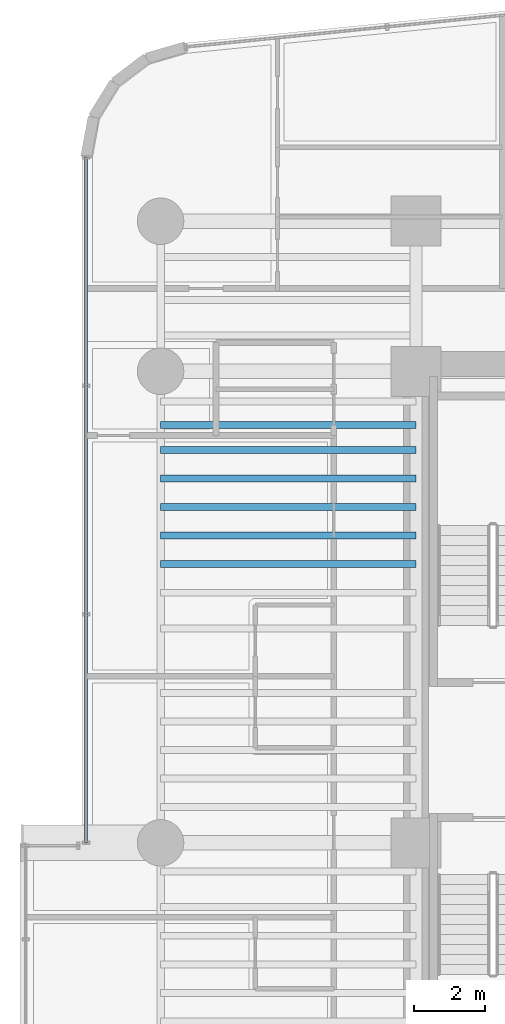
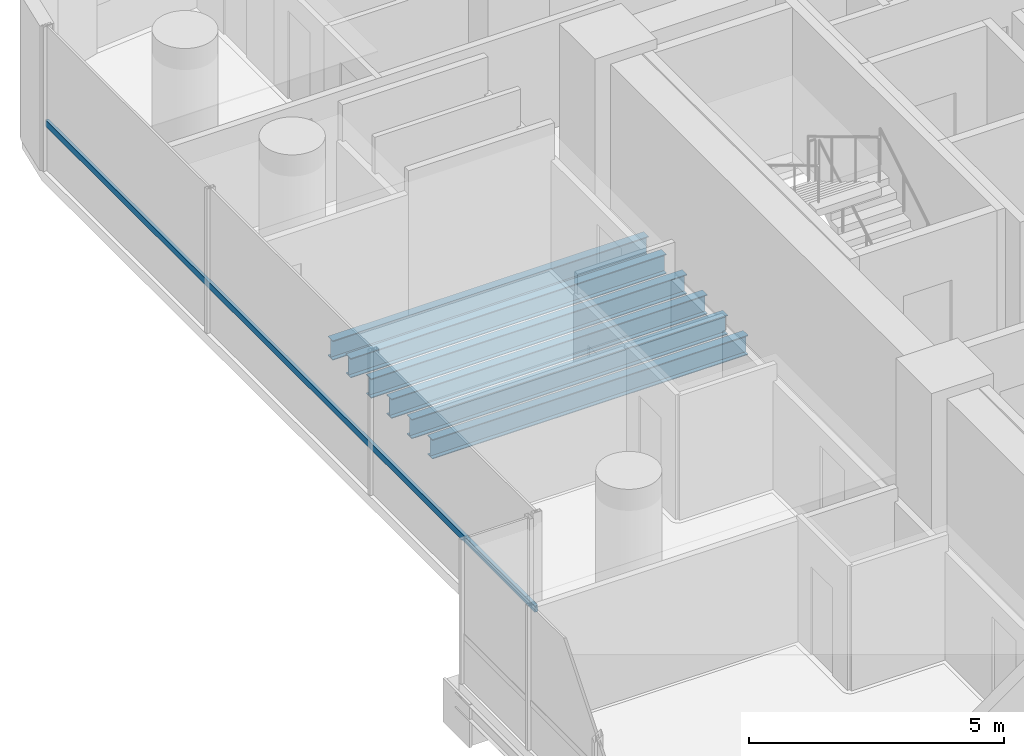
# One storey, part 9 of 41: 6 beams, 1 member, 1 element without a shape of its own.
"""IFC4 building model written with IfcOpenShell, lengths in metres."""

from ifc_helpers import new_model, si_unit, direction, frame, origin, origin_2d, place, context, subcontext, project, spatial, hollow_rectangle, i_section, extrude, source, transform, mapped, material, material_profile, profile_set, type_object, element, aggregate, save


model = new_model("IFC4")

# Units and contexts
model_context = context("Model", 3, precision=1e-05, world=origin(), true_north=direction((0.0, 1.0)))
body_context = subcontext(model_context, "Body", "Model", "MODEL_VIEW")
ifc_project = project(units=[si_unit("LENGTHUNIT", "METRE"), si_unit("AREAUNIT", "SQUARE_METRE"), si_unit("VOLUMEUNIT", "CUBIC_METRE"), si_unit("PLANEANGLEUNIT", "RADIAN"), si_unit("MASSUNIT", "GRAM", prefix="KILO")], contexts=[model_context])

# Site, building, storey
site_placement = place(None, origin())
site = spatial("IfcSite", under=ifc_project, at=site_placement, CompositionType="ELEMENT")
building_placement = place(site_placement, origin())
building = spatial("IfcBuilding", under=site, at=building_placement, Name="Valdorenza Pilgrim Sanctuary Tower", CompositionType="ELEMENT")
storey_placement = place(building_placement, frame((0.0, 0.0, 59.300048828125)))
storey = spatial("IfcBuildingStorey", under=building, at=storey_placement, Name="L14", CompositionType="ELEMENT", Elevation=59.300048828125)

# Beams
ifc_material_1 = material(Name="Steel ASTM A992 Grade 50", Category="steel")
ifc_material_profile_1 = material_profile(ifc_material_1, i_section(OverallWidth=0.193115234375, OverallDepth=0.466064453125, WebThickness=0.011474609375, FlangeThickness=0.01904296875, at=origin_2d()), Name="W18X65")
ifc_profile_set_1 = profile_set([ifc_material_profile_1], Name="Steel ASTM A992 Grade 50")
beam_type = type_object("IfcBeamType", Name="STR-BM-JST-W18A", PredefinedType="JOIST", material=ifc_profile_set_1)
shared_shape_1 = source(origin(), body_context, "Body", "SweptSolid", [
    extrude(i_section(OverallWidth=0.193115234375, OverallDepth=0.466064453125, WebThickness=0.011474609375, FlangeThickness=0.01904296875, at=origin_2d()), origin(), (0.0, 0.0, 1.0), 7.150146484375),
])
for number, where, z_axis, x_axis, name in (
    (1, (-29.800048828125, 5.199951171875, -0.47314453125), (1.0, 0.0, 0.0), (0.0, 1.0, 0.0), "L14 Composite Floor Joist JST-WA-17"),
    (2, (-29.800048828125, 6.0, -0.47314453125), (1.0, 0.0, 0.0), (0.0, 1.0, 0.0), "L14 Composite Floor Joist JST-WA-18"),
    (3, (-29.800048828125, 6.800048828125, -0.47314453125), (1.0, 0.0, 0.0), (0.0, 1.0, 0.0), "L14 Composite Floor Joist JST-WA-19"),
    (4, (-29.800048828125, 7.60009765625, -0.47314453125), (1.0, 0.0, 0.0), (0.0, 1.0, 0.0), "L14 Composite Floor Joist JST-WA-20"),
    (5, (-29.800048828125, 8.39990234375, -0.47314453125), (1.0, 0.0, 0.0), (0.0, 1.0, 0.0), "L14 Composite Floor Joist JST-WA-21"),
    (6, (-29.800048828125, 9.10009765625, -0.47314453125), (1.0, 0.0, 0.0), (0.0, 1.0, 0.0), "L14 Composite Floor Joist JST-WA-22"),
):
    element("IfcBeam", number, at=place(storey_placement, frame(where, z_axis=z_axis, x_axis=x_axis)), inside=storey, type_object=beam_type, Name=name, PredefinedType="JOIST", context=body_context, shape_type="MappedRepresentation", body=[
        mapped(shared_shape_1, transform((0.0, 0.0, 0.0), x_axis=(1.0, 0.0, 0.0), y_axis=(0.0, 1.0, 0.0), z_axis=(0.0, 0.0, 1.0), scale=1.0)),
    ])

# Curtain wall, member
ifc_material_2 = material(Name="Curtain-wall IGU glazing", Category="glass")
curtain_wall_type = type_object("IfcCurtainWallType", Name="CW-SYS-02", PredefinedType="NOTDEFINED", material=ifc_material_2)
curtain_wall_placement = place(storey_placement, origin())
curtain_wall = element("IfcCurtainWall", 7, at=curtain_wall_placement, inside=storey, type_object=curtain_wall_type, Name="L14 Curtain Wall CW-L14-1-1S2", PredefinedType="NOTDEFINED")
ifc_material_3 = material(Name="Anodised aluminium AW-6060", Category="aluminium")
ifc_material_profile_2 = material_profile(ifc_material_3, hollow_rectangle(XDim=0.074951171875, YDim=0.14990234375, WallThickness=0.00390625, at=origin_2d()), Name="ALU-T 150x75x4")
ifc_profile_set_2 = profile_set([ifc_material_profile_2], Name="Anodised aluminium AW-6060")
member_type = type_object("IfcMemberType", Name="CW-TRN-02", PredefinedType="USERDEFINED", material=ifc_profile_set_2)
shared_shape_2 = source(origin(), body_context, "Body", "SweptSolid", [
    extrude(hollow_rectangle(XDim=0.074951171875, YDim=0.14990234375, WallThickness=0.00390625, at=origin_2d()), origin(), (0.0, 0.0, 1.0), 19.194091796875),
])
member_placement = place(storey_placement, frame((-31.889892578125, -2.60009765625, 1.119873046875), z_axis=(0.0, 1.0, 0.0), x_axis=(-1.0, 0.0, 0.0)))
member = element("IfcMember", 8, at=member_placement, type_object=member_type, Name="CW-L14-1-1S2 Transom 1", ObjectType="TRANSOM", PredefinedType="USERDEFINED", context=body_context, shape_type="MappedRepresentation", body=[
    mapped(shared_shape_2, transform((0.0, 0.0, 0.0), x_axis=(1.0, 0.0, 0.0), y_axis=(0.0, 1.0, 0.0), z_axis=(0.0, 0.0, 1.0), scale=1.0)),
])
aggregate(curtain_wall, [member])

save(model, "model.ifc")
